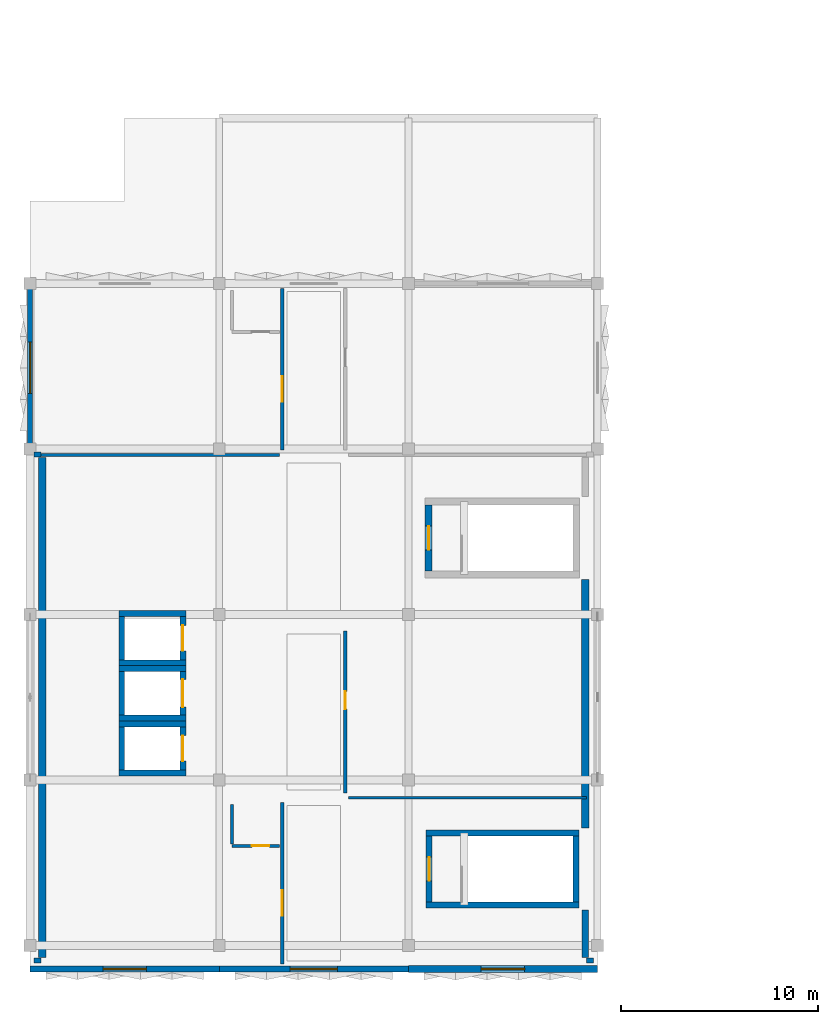
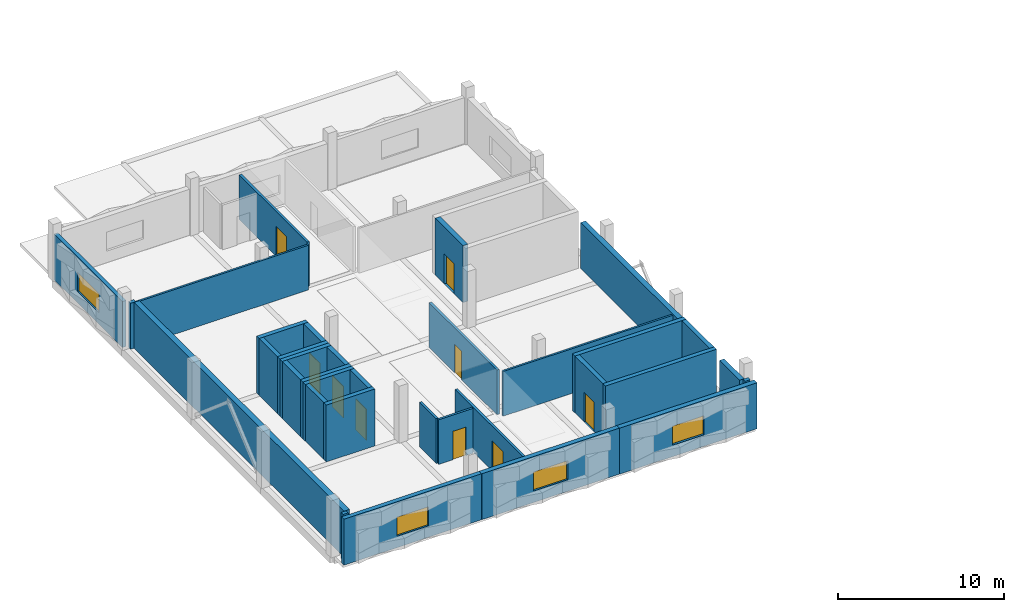
# One storey, part 7 of 18: 34 walls, 9 doors, 4 windows, 13 openings.
"""IFC4 building model written with IfcOpenShell, lengths in metres."""

from ifc_helpers import new_model, si_unit, direction, frame, frame_2d, origin, place, context, subcontext, project, spatial, rectangle, extrude, material, layer, layer_set, type_object, element, fill, save


model = new_model("IFC4")

# Units and contexts
model_context = context("Model", 3, precision=1e-05, world=origin(), true_north=direction((0.0, 1.0)))
body_context = subcontext(model_context, "Body", "Model", "MODEL_VIEW")
ifc_project = project(units=[si_unit("LENGTHUNIT", "METRE"), si_unit("AREAUNIT", "SQUARE_METRE"), si_unit("VOLUMEUNIT", "CUBIC_METRE"), si_unit("PLANEANGLEUNIT", "RADIAN"), si_unit("MASSUNIT", "GRAM", prefix="KILO")], contexts=[model_context])

# Site, building, storey
site_placement = place(None, origin())
site = spatial("IfcSite", under=ifc_project, at=site_placement, CompositionType="ELEMENT")
building_placement = place(site_placement, origin())
building = spatial("IfcBuilding", under=site, at=building_placement, Name="Oolite Switchyard Hospital", CompositionType="ELEMENT")
storey_placement = place(building_placement, frame((0.0, 0.0, 26.199951171875)))
storey = spatial("IfcBuildingStorey", under=building, at=storey_placement, Name="L06", CompositionType="ELEMENT", Elevation=26.199951171875)

# Walls
ifc_material_1 = material(Name="Precast oolitic limestone architectural concrete C40/50", Category="masonry")
ifc_layer_1 = layer(ifc_material_1, 0.260009765625)
ifc_layer_set_1 = layer_set([ifc_layer_1], Name="WAL-EXT-260")
wall_type_1 = type_object("IfcWallType", Name="WAL-EXT-260", PredefinedType="SOLIDWALL", material=ifc_layer_set_1)
for number, where, z_axis, x_axis, name in (
    (1, (0.199951171875, 41.239990234375, 0.0), (0.0, 0.0, 1.0), (1.0, 0.0, 0.0), "L06 Brace Alcove Cheek Wall 369"),
    (2, (0.199951171875, 66.919921875, 0.0), (0.0, 0.0, 1.0), (1.0, 0.0, 0.0), "L06 Brace Alcove Cheek Wall 370"),
):
    element("IfcWall", number, at=place(storey_placement, frame(where, z_axis=z_axis, x_axis=x_axis)), inside=storey, type_object=wall_type_1, Name=name, PredefinedType="SOLIDWALL", context=body_context, shape_type="SweptSolid", body=[
        extrude(rectangle(XDim=0.360107421875, YDim=0.260009765625, at=frame_2d((0.18017578125, 0.0))), origin(), (0.0, 0.0, 1.0), 3.39013671875),
    ])

# Wall, opening, window
wall_1_placement = place(storey_placement, frame((0.0, 67.199951171875, 0.0), z_axis=(0.0, 0.0, 1.0), x_axis=(0.0, 1.0, 0.0)))
wall_1 = element("IfcWall", 3, at=wall_1_placement, inside=storey, type_object=wall_type_1, Name="L06 Exterior Spandrel Wall 372", PredefinedType="SOLIDWALL", context=body_context, shape_type="SweptSolid", body=[
    extrude(rectangle(XDim=8.239990234375, YDim=0.260009765625, at=frame_2d((4.1201171875, 0.0))), origin(), (0.0, 0.0, 1.0), 3.39013671875),
])
opening_1_placement = place(wall_1_placement, frame((2.820068359375, 0.0, 0.85009765625)))
opening_1 = element("IfcOpeningElement", 4, at=opening_1_placement, cuts=wall_1, Name="Opening WN-0240", PredefinedType="OPENING", context=body_context, shape_type="SweptSolid", body=[
    extrude(rectangle(XDim=2.60009765625, YDim=1.39990234375, at=frame_2d((1.300048828125, 0.699951171875))), frame((0.0, 0.14013671875, 0.0), z_axis=(0.0, -1.0, 0.0), x_axis=(1.0, 0.0, 0.0)), (0.0, 0.0, 1.0), 0.280029296875),
])
ifc_material_2 = material(Name="Thermally broken aluminum frame with laminated impact glazing", Category="aluminium")
window_type_1 = type_object("IfcWindowType", Name="WIN-IMP-260X140", PartitioningType="SINGLE_PANEL", PredefinedType="WINDOW", material=ifc_material_2)
window_1_placement = place(opening_1_placement, origin())
window_1 = element("IfcWindow", 5, at=window_1_placement, inside=storey, type_object=window_type_1, Name="L06 Hurricane Impact Window WN-0240", OverallHeight=1.39990234375, OverallWidth=2.60009765625, PartitioningType="SINGLE_PANEL", PredefinedType="WINDOW", context=body_context, shape_type="SweptSolid", body=[
    extrude(rectangle(XDim=2.60009765625, YDim=1.39990234375, at=frame_2d((1.300048828125, 0.699951171875))), frame((0.0, 0.030029296875, 0.0), z_axis=(0.0, -1.0, 0.0), x_axis=(1.0, 0.0, 0.0)), (0.0, 0.0, 1.0), 0.06005859375),
])
fill(opening_1, window_1)

# Wall
wall_2_placement = place(storey_placement, frame((28.60009765625, 41.239990234375, 0.0), z_axis=(0.0, 0.0, 1.0), x_axis=(-1.0, 0.0, 0.0)))
element("IfcWall", 6, at=wall_2_placement, inside=storey, type_object=wall_type_1, Name="L06 Brace Alcove Cheek Wall 374", PredefinedType="SOLIDWALL", context=body_context, shape_type="SweptSolid", body=[
    extrude(rectangle(XDim=0.360107421875, YDim=0.260009765625, at=frame_2d((0.18017578125, 0.0))), origin(), (0.0, 0.0, 1.0), 3.39013671875),
])

# Wall, opening, window
ifc_layer_2 = layer(ifc_material_1, 0.300048828125)
ifc_layer_set_2 = layer_set([ifc_layer_2], Name="WAL-EXT-300")
wall_type_2 = type_object("IfcWallType", Name="WAL-EXT-300", PredefinedType="SOLIDWALL", material=ifc_layer_set_2)
wall_3_placement = place(storey_placement, frame((9.60009765625, 40.800048828125, 0.0), z_axis=(0.0, 0.0, 1.0), x_axis=(-1.0, 0.0, 0.0)))
wall_3 = element("IfcWall", 7, at=wall_3_placement, inside=storey, type_object=wall_type_2, Name="L06 Exterior Spandrel Wall 346", PredefinedType="SOLIDWALL", context=body_context, shape_type="SweptSolid", body=[
    extrude(rectangle(XDim=9.60009765625, YDim=0.300048828125, at=frame_2d((4.800048828125, 0.0))), origin(), (0.0, 0.0, 1.0), 3.39013671875),
])
opening_2_placement = place(wall_3_placement, frame((3.699951171875, 0.0, 0.85009765625)))
opening_2 = element("IfcOpeningElement", 8, at=opening_2_placement, cuts=wall_3, Name="Opening WN-0217", PredefinedType="OPENING", context=body_context, shape_type="SweptSolid", body=[
    extrude(rectangle(XDim=2.199951171875, YDim=1.39990234375, at=frame_2d((1.10009765625, 0.699951171875))), frame((0.0, 0.16015625, 0.0), z_axis=(0.0, -1.0, 0.0), x_axis=(1.0, 0.0, 0.0)), (0.0, 0.0, 1.0), 0.320068359375),
])
window_type_2 = type_object("IfcWindowType", Name="WIN-IMP-220X140", PartitioningType="SINGLE_PANEL", PredefinedType="WINDOW", material=ifc_material_2)
window_2_placement = place(opening_2_placement, origin())
window_2 = element("IfcWindow", 9, at=window_2_placement, inside=storey, type_object=window_type_2, Name="L06 Hurricane Impact Window WN-0217", OverallHeight=1.39990234375, OverallWidth=2.199951171875, PartitioningType="SINGLE_PANEL", PredefinedType="WINDOW", context=body_context, shape_type="SweptSolid", body=[
    extrude(rectangle(XDim=2.199951171875, YDim=1.39990234375, at=frame_2d((1.10009765625, 0.699951171875))), frame((0.0, 0.030029296875, 0.0), z_axis=(0.0, -1.0, 0.0), x_axis=(1.0, 0.0, 0.0)), (0.0, 0.0, 1.0), 0.06005859375),
])
fill(opening_2, window_2)

ifc_layer_3 = layer(ifc_material_1, 0.320068359375)
ifc_layer_set_3 = layer_set([ifc_layer_3], Name="WAL-EXT-320")
wall_type_3 = type_object("IfcWallType", Name="WAL-EXT-320", PredefinedType="SOLIDWALL", material=ifc_layer_set_3)
wall_4_placement = place(storey_placement, frame((19.199951171875, 40.800048828125, 0.0), z_axis=(0.0, 0.0, 1.0), x_axis=(-1.0, 0.0, 0.0)))
wall_4 = element("IfcWall", 10, at=wall_4_placement, inside=storey, type_object=wall_type_3, Name="L06 Exterior Spandrel Wall 347", PredefinedType="SOLIDWALL", context=body_context, shape_type="SweptSolid", body=[
    extrude(rectangle(XDim=9.599853515625, YDim=0.320068359375, at=frame_2d((4.7998046875, 0.0))), origin(), (0.0, 0.0, 1.0), 3.39013671875),
])
opening_3_placement = place(wall_4_placement, frame((3.60009765625, 0.0, 0.85009765625)))
opening_3 = element("IfcOpeningElement", 11, at=opening_3_placement, cuts=wall_4, Name="Opening WN-0218", PredefinedType="OPENING", context=body_context, shape_type="SweptSolid", body=[
    extrude(rectangle(XDim=2.39990234375, YDim=1.39990234375, at=frame_2d((1.199951171875, 0.699951171875))), frame((0.0, 0.169921875, 0.0), z_axis=(0.0, -1.0, 0.0), x_axis=(1.0, 0.0, 0.0)), (0.0, 0.0, 1.0), 0.340087890625),
])
window_type_3 = type_object("IfcWindowType", Name="WIN-IMP-240X140", PartitioningType="SINGLE_PANEL", PredefinedType="WINDOW", material=ifc_material_2)
window_3_placement = place(opening_3_placement, origin())
window_3 = element("IfcWindow", 12, at=window_3_placement, inside=storey, type_object=window_type_3, Name="L06 Hurricane Impact Window WN-0218", OverallHeight=1.39990234375, OverallWidth=2.39990234375, PartitioningType="SINGLE_PANEL", PredefinedType="WINDOW", context=body_context, shape_type="SweptSolid", body=[
    extrude(rectangle(XDim=2.39990234375, YDim=1.39990234375, at=frame_2d((1.199951171875, 0.699951171875))), frame((0.0, 0.030029296875, 0.0), z_axis=(0.0, -1.0, 0.0), x_axis=(1.0, 0.0, 0.0)), (0.0, 0.0, 1.0), 0.06005859375),
])
fill(opening_3, window_3)

# Wall
wall_5_placement = place(storey_placement, frame((28.179931640625, 43.800048828125, 0.0), z_axis=(0.0, 0.0, 1.0), x_axis=(0.0, -1.0, 0.0)))
element("IfcWall", 13, at=wall_5_placement, inside=storey, type_object=wall_type_3, Name="L06 Exterior Spandrel Wall 375", PredefinedType="SOLIDWALL", context=body_context, shape_type="SweptSolid", body=[
    extrude(rectangle(XDim=2.420166015625, YDim=0.320068359375, at=frame_2d((1.2099609375, 0.0))), origin(), (0.0, 0.0, 1.0), 3.39013671875),
])

# Wall, opening, window
ifc_layer_4 = layer(ifc_material_1, 0.340087890625)
ifc_layer_set_4 = layer_set([ifc_layer_4], Name="WAL-EXT-340")
wall_type_4 = type_object("IfcWallType", Name="WAL-EXT-340", PredefinedType="SOLIDWALL", material=ifc_layer_set_4)
wall_6_placement = place(storey_placement, frame((28.800048828125, 40.800048828125, 0.0), z_axis=(0.0, 0.0, 1.0), x_axis=(-1.0, 0.0, 0.0)))
wall_6 = element("IfcWall", 14, at=wall_6_placement, inside=storey, type_object=wall_type_4, Name="L06 Exterior Spandrel Wall 348", PredefinedType="SOLIDWALL", context=body_context, shape_type="SweptSolid", body=[
    extrude(rectangle(XDim=9.60009765625, YDim=0.340087890625, at=frame_2d((4.800048828125, 0.0))), origin(), (0.0, 0.0, 1.0), 3.39013671875),
])
opening_4_placement = place(wall_6_placement, frame((3.699951171875, 0.0, 0.85009765625)))
opening_4 = element("IfcOpeningElement", 15, at=opening_4_placement, cuts=wall_6, Name="Opening WN-0219", PredefinedType="OPENING", context=body_context, shape_type="SweptSolid", body=[
    extrude(rectangle(XDim=2.199951171875, YDim=1.39990234375, at=frame_2d((1.10009765625, 0.699951171875))), frame((0.0, 0.18017578125, 0.0), z_axis=(0.0, -1.0, 0.0), x_axis=(1.0, 0.0, 0.0)), (0.0, 0.0, 1.0), 0.360107421875),
])
window_4_placement = place(opening_4_placement, origin())
window_4 = element("IfcWindow", 16, at=window_4_placement, inside=storey, type_object=window_type_2, Name="L06 Hurricane Impact Window WN-0219", OverallHeight=1.39990234375, OverallWidth=2.199951171875, PartitioningType="SINGLE_PANEL", PredefinedType="WINDOW", context=body_context, shape_type="SweptSolid", body=[
    extrude(rectangle(XDim=2.199951171875, YDim=1.39990234375, at=frame_2d((1.10009765625, 0.699951171875))), frame((0.0, 0.030029296875, 0.0), z_axis=(0.0, -1.0, 0.0), x_axis=(1.0, 0.0, 0.0)), (0.0, 0.0, 1.0), 0.06005859375),
])
fill(opening_4, window_4)

# Walls
ifc_layer_5 = layer(ifc_material_1, 0.360107421875)
ifc_layer_set_5 = layer_set([ifc_layer_5], Name="WAL-EXT-360")
wall_type_5 = type_object("IfcWallType", Name="WAL-EXT-360", PredefinedType="SOLIDWALL", material=ifc_layer_set_5)
wall_7_placement = place(storey_placement, frame((28.179931640625, 60.574951171875, 0.0), z_axis=(0.0, 0.0, 1.0), x_axis=(0.0, -1.0, 0.0)))
element("IfcWall", 17, at=wall_7_placement, inside=storey, type_object=wall_type_5, Name="L06 Exterior Spandrel Wall 377", PredefinedType="SOLIDWALL", context=body_context, shape_type="SweptSolid", body=[
    extrude(rectangle(XDim=12.614990234375, YDim=0.360107421875, at=frame_2d((6.3076171875, 0.0))), origin(), (0.0, 0.0, 1.0), 3.39013671875),
])
ifc_layer_6 = layer(ifc_material_1, 0.3798828125)
ifc_layer_set_6 = layer_set([ifc_layer_6], Name="WAL-EXT-380")
wall_type_6 = type_object("IfcWallType", Name="WAL-EXT-380", PredefinedType="SOLIDWALL", material=ifc_layer_set_6)
wall_8_placement = place(storey_placement, frame((0.6201171875, 41.3798828125, 0.0), z_axis=(0.0, 0.0, 1.0), x_axis=(0.0, 1.0, 0.0)))
element("IfcWall", 18, at=wall_8_placement, inside=storey, type_object=wall_type_6, Name="L06 Exterior Spandrel Wall 371", PredefinedType="SOLIDWALL", context=body_context, shape_type="SweptSolid", body=[
    extrude(rectangle(XDim=25.400146484375, YDim=0.3798828125, at=frame_2d((12.7001953125, 0.0))), origin(), (0.0, 0.0, 1.0), 3.39013671875),
])
ifc_material_3 = material(Name="Moisture-resistant gypsum board on steel studs", Category="steel")
ifc_layer_7 = layer(ifc_material_3, 0.135009765625)
ifc_layer_set_7 = layer_set([ifc_layer_7], Name="WAL-PART-135")
wall_type_7 = type_object("IfcWallType", Name="WAL-PART-135", PredefinedType="PARTITIONING", material=ifc_layer_set_7)
wall_9_placement = place(storey_placement, frame((16.14990234375, 49.5, 0.0), z_axis=(0.0, 0.0, 1.0), x_axis=(1.0, 0.0, 0.0)))
element("IfcWall", 19, at=wall_9_placement, inside=storey, type_object=wall_type_7, Name="L06 Interior Partition 868", PredefinedType="PARTITIONING", context=body_context, shape_type="SweptSolid", body=[
    extrude(rectangle(XDim=12.10009765625, YDim=0.135009765625, at=frame_2d((6.050048828125, 0.0))), origin(), (0.0, 0.0, 1.0), 3.300048828125),
])
wall_10_placement = place(storey_placement, frame((0.550048828125, 66.89990234375, 0.0), z_axis=(0.0, 0.0, 1.0), x_axis=(1.0, 0.0, 0.0)))
element("IfcWall", 20, at=wall_10_placement, inside=storey, type_object=wall_type_7, Name="L06 Interior Partition 872", PredefinedType="PARTITIONING", context=body_context, shape_type="SweptSolid", body=[
    extrude(rectangle(XDim=12.099853515625, YDim=0.135009765625, at=frame_2d((6.0498046875, 0.0))), origin(), (0.0, 0.0, 1.0), 3.300048828125),
])

# Wall, opening, door
ifc_layer_8 = layer(ifc_material_3, 0.14990234375)
ifc_layer_set_8 = layer_set([ifc_layer_8], Name="WAL-PART-150")
wall_type_8 = type_object("IfcWallType", Name="WAL-PART-150", PredefinedType="PARTITIONING", material=ifc_layer_set_8)
wall_11_placement = place(storey_placement, frame((10.25, 47.050048828125, 0.0), z_axis=(0.0, 0.0, 1.0), x_axis=(1.0, 0.0, 0.0)))
wall_11 = element("IfcWall", 21, at=wall_11_placement, inside=storey, type_object=wall_type_8, Name="L06 Interior Partition 865", PredefinedType="PARTITIONING", context=body_context, shape_type="SweptSolid", body=[
    extrude(rectangle(XDim=2.39990234375, YDim=0.14990234375, at=frame_2d((1.199951171875, 0.0))), origin(), (0.0, 0.0, 1.0), 3.300048828125),
])
opening_5_placement = place(wall_11_placement, frame((1.0, 0.0, 0.0)))
opening_5 = element("IfcOpeningElement", 22, at=opening_5_placement, cuts=wall_11, Name="Opening D-0480", PredefinedType="OPENING", context=body_context, shape_type="SweptSolid", body=[
    extrude(rectangle(XDim=0.89990234375, YDim=2.10009765625, at=frame_2d((0.449951171875, 1.050048828125))), frame((0.0, 0.0849609375, 0.0), z_axis=(0.0, -1.0, 0.0), x_axis=(1.0, 0.0, 0.0)), (0.0, 0.0, 1.0), 0.169921875),
])
ifc_material_4 = material(Name="Solid-core antimicrobial hardwood leaf in steel frame", Category="steel")
door_type_1 = type_object("IfcDoorType", Name="DR-BATH-090X210", OperationType="NOTDEFINED", PredefinedType="DOOR", material=ifc_material_4)
door_1_placement = place(opening_5_placement, origin())
door_1 = element("IfcDoor", 23, at=door_1_placement, inside=storey, type_object=door_type_1, Name="L06 Interior Door D-0480", OperationType="SINGLE_SWING_RIGHT", OverallHeight=2.10009765625, OverallWidth=0.89990234375, PredefinedType="DOOR", context=body_context, shape_type="SweptSolid", body=[
    extrude(rectangle(XDim=0.89990234375, YDim=2.10009765625, at=frame_2d((0.449951171875, 1.050048828125))), frame((0.0, 0.02490234375, 0.0), z_axis=(0.0, -1.0, 0.0), x_axis=(1.0, 0.0, 0.0)), (0.0, 0.0, 1.0), 0.050048828125),
])
fill(opening_5, door_1)

# Wall
wall_12_placement = place(storey_placement, frame((10.25, 47.14990234375, 0.0), z_axis=(0.0, 0.0, 1.0), x_axis=(0.0, 1.0, 0.0)))
element("IfcWall", 24, at=wall_12_placement, inside=storey, type_object=wall_type_8, Name="L06 Interior Partition 866", PredefinedType="PARTITIONING", context=body_context, shape_type="SweptSolid", body=[
    extrude(rectangle(XDim=2.0, YDim=0.14990234375, at=frame_2d((1.0, 0.0))), origin(), (0.0, 0.0, 1.0), 3.300048828125),
])

# Wall, opening, door
ifc_layer_9 = layer(ifc_material_3, 0.1650390625)
ifc_layer_set_9 = layer_set([ifc_layer_9], Name="WAL-PART-165")
wall_type_9 = type_object("IfcWallType", Name="WAL-PART-165", PredefinedType="PARTITIONING", material=ifc_layer_set_9)
wall_13_placement = place(storey_placement, frame((12.800048828125, 41.050048828125, 0.0), z_axis=(0.0, 0.0, 1.0), x_axis=(0.0, 1.0, 0.0)))
wall_13 = element("IfcWall", 25, at=wall_13_placement, inside=storey, type_object=wall_type_9, Name="L06 Interior Partition 864", PredefinedType="PARTITIONING", context=body_context, shape_type="SweptSolid", body=[
    extrude(rectangle(XDim=8.199951171875, YDim=0.1650390625, at=frame_2d((4.10009765625, 0.0))), origin(), (0.0, 0.0, 1.0), 3.300048828125),
])
opening_6_placement = place(wall_13_placement, frame((2.449951171875, 0.0, 0.0)))
opening_6 = element("IfcOpeningElement", 26, at=opening_6_placement, cuts=wall_13, Name="Opening D-0479", PredefinedType="OPENING", context=body_context, shape_type="SweptSolid", body=[
    extrude(rectangle(XDim=1.300048828125, YDim=2.199951171875, at=frame_2d((0.64990234375, 1.10009765625))), frame((0.0, 0.092529296875, 0.0), z_axis=(0.0, -1.0, 0.0), x_axis=(1.0, 0.0, 0.0)), (0.0, 0.0, 1.0), 0.18505859375),
])
door_type_2 = type_object("IfcDoorType", Name="DR-WARD-130X220", OperationType="NOTDEFINED", PredefinedType="DOOR", material=ifc_material_4)
door_2_placement = place(opening_6_placement, origin())
door_2 = element("IfcDoor", 27, at=door_2_placement, inside=storey, type_object=door_type_2, Name="L06 Interior Door D-0479", OperationType="SINGLE_SWING_LEFT", OverallHeight=2.199951171875, OverallWidth=1.300048828125, PredefinedType="DOOR", context=body_context, shape_type="SweptSolid", body=[
    extrude(rectangle(XDim=1.300048828125, YDim=2.199951171875, at=frame_2d((0.64990234375, 1.10009765625))), frame((0.0, 0.02490234375, 0.0), z_axis=(0.0, -1.0, 0.0), x_axis=(1.0, 0.0, 0.0)), (0.0, 0.0, 1.0), 0.050048828125),
])
fill(opening_6, door_2)

wall_14_placement = place(storey_placement, frame((16.0, 49.75, 0.0), z_axis=(0.0, 0.0, 1.0), x_axis=(0.0, 1.0, 0.0)))
wall_14 = element("IfcWall", 28, at=wall_14_placement, inside=storey, type_object=wall_type_9, Name="L06 Interior Partition 867", PredefinedType="PARTITIONING", context=body_context, shape_type="SweptSolid", body=[
    extrude(rectangle(XDim=8.199951171875, YDim=0.1650390625, at=frame_2d((4.10009765625, 0.0))), origin(), (0.0, 0.0, 1.0), 3.300048828125),
])
opening_7_placement = place(wall_14_placement, frame((4.25, 0.0, 0.0)))
opening_7 = element("IfcOpeningElement", 29, at=opening_7_placement, cuts=wall_14, Name="Opening D-0481", PredefinedType="OPENING", context=body_context, shape_type="SweptSolid", body=[
    extrude(rectangle(XDim=0.89990234375, YDim=2.10009765625, at=frame_2d((0.449951171875, 1.050048828125))), frame((0.0, 0.092529296875, 0.0), z_axis=(0.0, -1.0, 0.0), x_axis=(1.0, 0.0, 0.0)), (0.0, 0.0, 1.0), 0.18505859375),
])
door_3_placement = place(opening_7_placement, origin())
door_3 = element("IfcDoor", 30, at=door_3_placement, inside=storey, type_object=door_type_1, Name="L06 Interior Door D-0481", OperationType="SINGLE_SWING_LEFT", OverallHeight=2.10009765625, OverallWidth=0.89990234375, PredefinedType="DOOR", context=body_context, shape_type="SweptSolid", body=[
    extrude(rectangle(XDim=0.89990234375, YDim=2.10009765625, at=frame_2d((0.449951171875, 1.050048828125))), frame((0.0, 0.02490234375, 0.0), z_axis=(0.0, -1.0, 0.0), x_axis=(1.0, 0.0, 0.0)), (0.0, 0.0, 1.0), 0.050048828125),
])
fill(opening_7, door_3)

wall_15_placement = place(storey_placement, frame((12.800048828125, 67.14990234375, 0.0), z_axis=(0.0, 0.0, 1.0), x_axis=(0.0, 1.0, 0.0)))
wall_15 = element("IfcWall", 31, at=wall_15_placement, inside=storey, type_object=wall_type_9, Name="L06 Interior Partition 869", PredefinedType="PARTITIONING", context=body_context, shape_type="SweptSolid", body=[
    extrude(rectangle(XDim=8.2001953125, YDim=0.1650390625, at=frame_2d((4.10009765625, 0.0))), origin(), (0.0, 0.0, 1.0), 3.300048828125),
])
opening_8_placement = place(wall_15_placement, frame((2.449951171875, 0.0, 0.0)))
opening_8 = element("IfcOpeningElement", 32, at=opening_8_placement, cuts=wall_15, Name="Opening D-0482", PredefinedType="OPENING", context=body_context, shape_type="SweptSolid", body=[
    extrude(rectangle(XDim=1.300048828125, YDim=2.199951171875, at=frame_2d((0.64990234375, 1.10009765625))), frame((0.0, 0.092529296875, 0.0), z_axis=(0.0, -1.0, 0.0), x_axis=(1.0, 0.0, 0.0)), (0.0, 0.0, 1.0), 0.18505859375),
])
door_4_placement = place(opening_8_placement, origin())
door_4 = element("IfcDoor", 33, at=door_4_placement, inside=storey, type_object=door_type_2, Name="L06 Interior Door D-0482", OperationType="SINGLE_SWING_RIGHT", OverallHeight=2.199951171875, OverallWidth=1.300048828125, PredefinedType="DOOR", context=body_context, shape_type="SweptSolid", body=[
    extrude(rectangle(XDim=1.300048828125, YDim=2.199951171875, at=frame_2d((0.64990234375, 1.10009765625))), frame((0.0, 0.02490234375, 0.0), z_axis=(0.0, -1.0, 0.0), x_axis=(1.0, 0.0, 0.0)), (0.0, 0.0, 1.0), 0.050048828125),
])
fill(opening_8, door_4)

# Walls
ifc_material_5 = material(Name="Concrete C50/60", Category="concrete")
ifc_layer_10 = layer(ifc_material_5, 0.300048828125)
ifc_layer_set_10 = layer_set([ifc_layer_10], Name="WAL-SHR-300")
wall_type_10 = type_object("IfcWallType", Name="WAL-SHR-300", PredefinedType="SHEAR", material=ifc_layer_set_10)
wall_16_placement = place(storey_placement, frame((20.10009765625, 44.050048828125, 0.0), z_axis=(0.0, 0.0, 1.0), x_axis=(1.0, 0.0, 0.0)))
element("IfcWall", 34, at=wall_16_placement, inside=storey, type_object=wall_type_10, Name="L06 Core Shear Wall ST-01", PredefinedType="SHEAR", context=body_context, shape_type="SweptSolid", body=[
    extrude(rectangle(XDim=7.75, YDim=0.300048828125, at=frame_2d((3.875, 0.0))), origin(), (0.0, 0.0, 1.0), 4.199951171875),
])
wall_17_placement = place(storey_placement, frame((27.699951171875, 44.199951171875, 0.0), z_axis=(0.0, 0.0, 1.0), x_axis=(0.0, 1.0, 0.0)))
element("IfcWall", 35, at=wall_17_placement, inside=storey, type_object=wall_type_10, Name="L06 Core Shear Wall ST-01", PredefinedType="SHEAR", context=body_context, shape_type="SweptSolid", body=[
    extrude(rectangle(XDim=3.360107421875, YDim=0.300048828125, at=frame_2d((1.68017578125, 0.0))), origin(), (0.0, 0.0, 1.0), 4.199951171875),
])
wall_18_placement = place(storey_placement, frame((27.85009765625, 47.7099609375, 0.0), z_axis=(0.0, 0.0, 1.0), x_axis=(-1.0, 0.0, 0.0)))
element("IfcWall", 36, at=wall_18_placement, inside=storey, type_object=wall_type_10, Name="L06 Core Shear Wall ST-01", PredefinedType="SHEAR", context=body_context, shape_type="SweptSolid", body=[
    extrude(rectangle(XDim=7.75, YDim=0.300048828125, at=frame_2d((3.875, 0.0))), origin(), (0.0, 0.0, 1.0), 4.199951171875),
])

# Wall, opening, door
wall_19_placement = place(storey_placement, frame((20.25, 47.56005859375, 0.0), z_axis=(0.0, 0.0, 1.0), x_axis=(0.0, -1.0, 0.0)))
wall_19 = element("IfcWall", 37, at=wall_19_placement, inside=storey, type_object=wall_type_10, Name="L06 Core Shear Wall ST-01", PredefinedType="SHEAR", context=body_context, shape_type="SweptSolid", body=[
    extrude(rectangle(XDim=3.360107421875, YDim=0.300048828125, at=frame_2d((1.68017578125, 0.0))), origin(), (0.0, 0.0, 1.0), 4.199951171875),
])
opening_9_placement = place(wall_19_placement, frame((1.080078125, 0.0, 0.0)))
opening_9 = element("IfcOpeningElement", 38, at=opening_9_placement, cuts=wall_19, Name="Opening SD-007", PredefinedType="OPENING", context=body_context, shape_type="SweptSolid", body=[
    extrude(rectangle(XDim=1.199951171875, YDim=2.199951171875, at=frame_2d((0.60009765625, 1.10009765625))), frame((0.0, 0.16015625, 0.0), z_axis=(0.0, -1.0, 0.0), x_axis=(1.0, 0.0, 0.0)), (0.0, 0.0, 1.0), 0.320068359375),
])
ifc_material_6 = material(Name="Hollow metal fire-rated steel door assembly", Category="steel")
door_type_3 = type_object("IfcDoorType", Name="DR-STR-120X220", OperationType="NOTDEFINED", PredefinedType="DOOR", material=ifc_material_6)
door_5_placement = place(opening_9_placement, origin())
door_5 = element("IfcDoor", 39, at=door_5_placement, inside=storey, type_object=door_type_3, Name="L06 ST-01 Exit Stair Door SD-007", OperationType="SINGLE_SWING_LEFT", OverallHeight=2.199951171875, OverallWidth=1.199951171875, PredefinedType="DOOR", context=body_context, shape_type="SweptSolid", body=[
    extrude(rectangle(XDim=1.199951171875, YDim=2.199951171875, at=frame_2d((0.60009765625, 1.10009765625))), frame((0.0, 0.02490234375, 0.0), z_axis=(0.0, -1.0, 0.0), x_axis=(1.0, 0.0, 0.0)), (0.0, 0.0, 1.0), 0.050048828125),
])
fill(opening_9, door_5)

# Wall
wall_20_placement = place(storey_placement, frame((4.5, 50.75, 0.0), z_axis=(0.0, 0.0, 1.0), x_axis=(1.0, 0.0, 0.0)))
element("IfcWall", 40, at=wall_20_placement, inside=storey, type_object=wall_type_10, Name="L06 Lift Shaft Shear Wall EL-05", PredefinedType="SHEAR", context=body_context, shape_type="SweptSolid", body=[
    extrude(rectangle(XDim=3.39990234375, YDim=0.300048828125, at=frame_2d((1.699951171875, 0.0))), origin(), (0.0, 0.0, 1.0), 4.199951171875),
])

# Wall, opening, door
wall_21_placement = place(storey_placement, frame((7.75, 50.89990234375, 0.0), z_axis=(0.0, 0.0, 1.0), x_axis=(0.0, 1.0, 0.0)))
wall_21 = element("IfcWall", 41, at=wall_21_placement, inside=storey, type_object=wall_type_10, Name="L06 Lift Shaft Shear Wall EL-05", PredefinedType="SHEAR", context=body_context, shape_type="SweptSolid", body=[
    extrude(rectangle(XDim=2.2001953125, YDim=0.300048828125, at=frame_2d((1.10009765625, 0.0))), origin(), (0.0, 0.0, 1.0), 4.199951171875),
])
opening_10_placement = place(wall_21_placement, frame((0.449951171875, 0.0, 0.0)))
opening_10 = element("IfcOpeningElement", 42, at=opening_10_placement, cuts=wall_21, Name="Opening LD-041", PredefinedType="OPENING", context=body_context, shape_type="SweptSolid", body=[
    extrude(rectangle(XDim=1.300048828125, YDim=2.300048828125, at=frame_2d((0.64990234375, 1.14990234375))), frame((0.0, 0.16015625, 0.0), z_axis=(0.0, -1.0, 0.0), x_axis=(1.0, 0.0, 0.0)), (0.0, 0.0, 1.0), 0.320068359375),
])
ifc_material_7 = material(Name="Brushed stainless steel fire-rated sliding landing door", Category="steel")
door_type_4 = type_object("IfcDoorType", Name="DR-LD-130X230", OperationType="NOTDEFINED", PredefinedType="DOOR", material=ifc_material_7)
door_6_placement = place(opening_10_placement, origin())
door_6 = element("IfcDoor", 43, at=door_6_placement, inside=storey, type_object=door_type_4, Name="L06 EL-05 Lift Landing Door LD-041", OperationType="SLIDING_TO_LEFT", OverallHeight=2.300048828125, OverallWidth=1.300048828125, PredefinedType="DOOR", context=body_context, shape_type="SweptSolid", body=[
    extrude(rectangle(XDim=1.300048828125, YDim=2.300048828125, at=frame_2d((0.64990234375, 1.14990234375))), frame((0.0, 0.02490234375, 0.0), z_axis=(0.0, -1.0, 0.0), x_axis=(1.0, 0.0, 0.0)), (0.0, 0.0, 1.0), 0.050048828125),
])
fill(opening_10, door_6)

# Walls
wall_22_placement = place(storey_placement, frame((7.89990234375, 53.25, 0.0), z_axis=(0.0, 0.0, 1.0), x_axis=(-1.0, 0.0, 0.0)))
element("IfcWall", 44, at=wall_22_placement, inside=storey, type_object=wall_type_10, Name="L06 Lift Shaft Shear Wall EL-05", PredefinedType="SHEAR", context=body_context, shape_type="SweptSolid", body=[
    extrude(rectangle(XDim=3.39990234375, YDim=0.300048828125, at=frame_2d((1.699951171875, 0.0))), origin(), (0.0, 0.0, 1.0), 4.199951171875),
])
wall_23_placement = place(storey_placement, frame((4.64990234375, 53.10009765625, 0.0), z_axis=(0.0, 0.0, 1.0), x_axis=(0.0, -1.0, 0.0)))
element("IfcWall", 45, at=wall_23_placement, inside=storey, type_object=wall_type_10, Name="L06 Lift Shaft Shear Wall EL-05", PredefinedType="SHEAR", context=body_context, shape_type="SweptSolid", body=[
    extrude(rectangle(XDim=2.2001953125, YDim=0.300048828125, at=frame_2d((1.10009765625, 0.0))), origin(), (0.0, 0.0, 1.0), 4.199951171875),
])
wall_24_placement = place(storey_placement, frame((4.5, 53.550048828125, 0.0), z_axis=(0.0, 0.0, 1.0), x_axis=(1.0, 0.0, 0.0)))
element("IfcWall", 46, at=wall_24_placement, inside=storey, type_object=wall_type_10, Name="L06 Lift Shaft Shear Wall EL-06", PredefinedType="SHEAR", context=body_context, shape_type="SweptSolid", body=[
    extrude(rectangle(XDim=3.39990234375, YDim=0.300048828125, at=frame_2d((1.699951171875, 0.0))), origin(), (0.0, 0.0, 1.0), 4.199951171875),
])

# Wall, opening, door
wall_25_placement = place(storey_placement, frame((7.75, 53.699951171875, 0.0), z_axis=(0.0, 0.0, 1.0), x_axis=(0.0, 1.0, 0.0)))
wall_25 = element("IfcWall", 47, at=wall_25_placement, inside=storey, type_object=wall_type_10, Name="L06 Lift Shaft Shear Wall EL-06", PredefinedType="SHEAR", context=body_context, shape_type="SweptSolid", body=[
    extrude(rectangle(XDim=2.199951171875, YDim=0.300048828125, at=frame_2d((1.10009765625, 0.0))), origin(), (0.0, 0.0, 1.0), 4.199951171875),
])
opening_11_placement = place(wall_25_placement, frame((0.39990234375, 0.0, 0.0)))
opening_11 = element("IfcOpeningElement", 48, at=opening_11_placement, cuts=wall_25, Name="Opening LD-048", PredefinedType="OPENING", context=body_context, shape_type="SweptSolid", body=[
    extrude(rectangle(XDim=1.39990234375, YDim=2.300048828125, at=frame_2d((0.699951171875, 1.14990234375))), frame((0.0, 0.16015625, 0.0), z_axis=(0.0, -1.0, 0.0), x_axis=(1.0, 0.0, 0.0)), (0.0, 0.0, 1.0), 0.320068359375),
])
door_type_5 = type_object("IfcDoorType", Name="DR-LD-140X230", OperationType="NOTDEFINED", PredefinedType="DOOR", material=ifc_material_7)
door_7_placement = place(opening_11_placement, origin())
door_7 = element("IfcDoor", 49, at=door_7_placement, inside=storey, type_object=door_type_5, Name="L06 EL-06 Lift Landing Door LD-048", OperationType="SLIDING_TO_RIGHT", OverallHeight=2.300048828125, OverallWidth=1.39990234375, PredefinedType="DOOR", context=body_context, shape_type="SweptSolid", body=[
    extrude(rectangle(XDim=1.39990234375, YDim=2.300048828125, at=frame_2d((0.699951171875, 1.14990234375))), frame((0.0, 0.02490234375, 0.0), z_axis=(0.0, -1.0, 0.0), x_axis=(1.0, 0.0, 0.0)), (0.0, 0.0, 1.0), 0.050048828125),
])
fill(opening_11, door_7)

# Walls
wall_26_placement = place(storey_placement, frame((7.89990234375, 56.050048828125, 0.0), z_axis=(0.0, 0.0, 1.0), x_axis=(-1.0, 0.0, 0.0)))
element("IfcWall", 50, at=wall_26_placement, inside=storey, type_object=wall_type_10, Name="L06 Lift Shaft Shear Wall EL-06", PredefinedType="SHEAR", context=body_context, shape_type="SweptSolid", body=[
    extrude(rectangle(XDim=3.39990234375, YDim=0.300048828125, at=frame_2d((1.699951171875, 0.0))), origin(), (0.0, 0.0, 1.0), 4.199951171875),
])
wall_27_placement = place(storey_placement, frame((4.64990234375, 55.89990234375, 0.0), z_axis=(0.0, 0.0, 1.0), x_axis=(0.0, -1.0, 0.0)))
element("IfcWall", 51, at=wall_27_placement, inside=storey, type_object=wall_type_10, Name="L06 Lift Shaft Shear Wall EL-06", PredefinedType="SHEAR", context=body_context, shape_type="SweptSolid", body=[
    extrude(rectangle(XDim=2.199951171875, YDim=0.300048828125, at=frame_2d((1.10009765625, 0.0))), origin(), (0.0, 0.0, 1.0), 4.199951171875),
])
wall_28_placement = place(storey_placement, frame((4.5, 56.35009765625, 0.0), z_axis=(0.0, 0.0, 1.0), x_axis=(1.0, 0.0, 0.0)))
element("IfcWall", 52, at=wall_28_placement, inside=storey, type_object=wall_type_10, Name="L06 Lift Shaft Shear Wall EL-07", PredefinedType="SHEAR", context=body_context, shape_type="SweptSolid", body=[
    extrude(rectangle(XDim=3.39990234375, YDim=0.300048828125, at=frame_2d((1.699951171875, 0.0))), origin(), (0.0, 0.0, 1.0), 4.199951171875),
])

# Wall, opening, door
wall_29_placement = place(storey_placement, frame((7.75, 56.5, 0.0), z_axis=(0.0, 0.0, 1.0), x_axis=(0.0, 1.0, 0.0)))
wall_29 = element("IfcWall", 53, at=wall_29_placement, inside=storey, type_object=wall_type_10, Name="L06 Lift Shaft Shear Wall EL-07", PredefinedType="SHEAR", context=body_context, shape_type="SweptSolid", body=[
    extrude(rectangle(XDim=2.199951171875, YDim=0.300048828125, at=frame_2d((1.10009765625, 0.0))), origin(), (0.0, 0.0, 1.0), 4.199951171875),
])
opening_12_placement = place(wall_29_placement, frame((0.449951171875, 0.0, 0.0)))
opening_12 = element("IfcOpeningElement", 54, at=opening_12_placement, cuts=wall_29, Name="Opening LD-055", PredefinedType="OPENING", context=body_context, shape_type="SweptSolid", body=[
    extrude(rectangle(XDim=1.300048828125, YDim=2.300048828125, at=frame_2d((0.64990234375, 1.14990234375))), frame((0.0, 0.16015625, 0.0), z_axis=(0.0, -1.0, 0.0), x_axis=(1.0, 0.0, 0.0)), (0.0, 0.0, 1.0), 0.320068359375),
])
door_8_placement = place(opening_12_placement, origin())
door_8 = element("IfcDoor", 55, at=door_8_placement, inside=storey, type_object=door_type_4, Name="L06 EL-07 Lift Landing Door LD-055", OperationType="SLIDING_TO_LEFT", OverallHeight=2.300048828125, OverallWidth=1.300048828125, PredefinedType="DOOR", context=body_context, shape_type="SweptSolid", body=[
    extrude(rectangle(XDim=1.300048828125, YDim=2.300048828125, at=frame_2d((0.64990234375, 1.14990234375))), frame((0.0, 0.02490234375, 0.0), z_axis=(0.0, -1.0, 0.0), x_axis=(1.0, 0.0, 0.0)), (0.0, 0.0, 1.0), 0.050048828125),
])
fill(opening_12, door_8)

# Walls
wall_30_placement = place(storey_placement, frame((7.89990234375, 58.85009765625, 0.0), z_axis=(0.0, 0.0, 1.0), x_axis=(-1.0, 0.0, 0.0)))
element("IfcWall", 56, at=wall_30_placement, inside=storey, type_object=wall_type_10, Name="L06 Lift Shaft Shear Wall EL-07", PredefinedType="SHEAR", context=body_context, shape_type="SweptSolid", body=[
    extrude(rectangle(XDim=3.39990234375, YDim=0.300048828125, at=frame_2d((1.699951171875, 0.0))), origin(), (0.0, 0.0, 1.0), 4.199951171875),
])
wall_31_placement = place(storey_placement, frame((4.64990234375, 58.699951171875, 0.0), z_axis=(0.0, 0.0, 1.0), x_axis=(0.0, -1.0, 0.0)))
element("IfcWall", 57, at=wall_31_placement, inside=storey, type_object=wall_type_10, Name="L06 Lift Shaft Shear Wall EL-07", PredefinedType="SHEAR", context=body_context, shape_type="SweptSolid", body=[
    extrude(rectangle(XDim=2.199951171875, YDim=0.300048828125, at=frame_2d((1.10009765625, 0.0))), origin(), (0.0, 0.0, 1.0), 4.199951171875),
])

# Wall, opening, door
ifc_layer_11 = layer(ifc_material_5, 0.35009765625)
ifc_layer_set_11 = layer_set([ifc_layer_11], Name="WAL-SHR-350")
wall_type_11 = type_object("IfcWallType", Name="WAL-SHR-350", PredefinedType="SHEAR", material=ifc_layer_set_11)
wall_32_placement = place(storey_placement, frame((20.22509765625, 64.360107421875, 0.0), z_axis=(0.0, 0.0, 1.0), x_axis=(0.0, -1.0, 0.0)))
wall_32 = element("IfcWall", 58, at=wall_32_placement, inside=storey, type_object=wall_type_11, Name="L06 Core Shear Wall ST-02", PredefinedType="SHEAR", context=body_context, shape_type="SweptSolid", body=[
    extrude(rectangle(XDim=3.360107421875, YDim=0.35009765625, at=frame_2d((1.68017578125, 0.0))), origin(), (0.0, 0.0, 1.0), 4.199951171875),
])
opening_13_placement = place(wall_32_placement, frame((1.080078125, 0.0, 0.0)))
opening_13 = element("IfcOpeningElement", 59, at=opening_13_placement, cuts=wall_32, Name="Opening SD-014", PredefinedType="OPENING", context=body_context, shape_type="SweptSolid", body=[
    extrude(rectangle(XDim=1.199951171875, YDim=2.199951171875, at=frame_2d((0.60009765625, 1.10009765625))), frame((0.0, 0.18505859375, 0.0), z_axis=(0.0, -1.0, 0.0), x_axis=(1.0, 0.0, 0.0)), (0.0, 0.0, 1.0), 0.3701171875),
])
door_9_placement = place(opening_13_placement, origin())
door_9 = element("IfcDoor", 60, at=door_9_placement, inside=storey, type_object=door_type_3, Name="L06 ST-02 Exit Stair Door SD-014", OperationType="SINGLE_SWING_RIGHT", OverallHeight=2.199951171875, OverallWidth=1.199951171875, PredefinedType="DOOR", context=body_context, shape_type="SweptSolid", body=[
    extrude(rectangle(XDim=1.199951171875, YDim=2.199951171875, at=frame_2d((0.60009765625, 1.10009765625))), frame((0.0, 0.02490234375, 0.0), z_axis=(0.0, -1.0, 0.0), x_axis=(1.0, 0.0, 0.0)), (0.0, 0.0, 1.0), 0.050048828125),
])
fill(opening_13, door_9)

save(model, "model.ifc")
